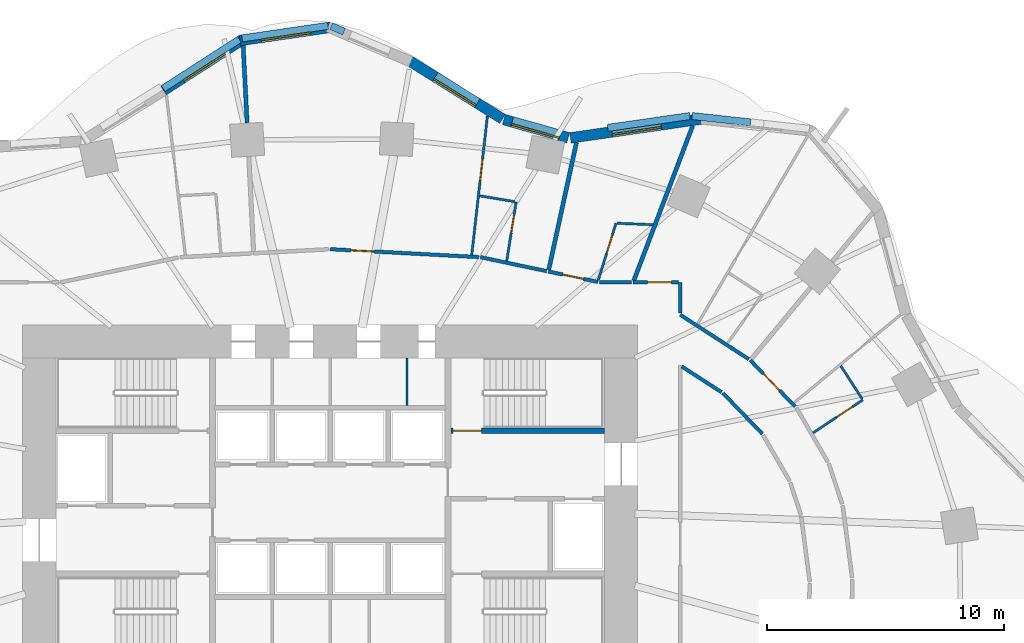
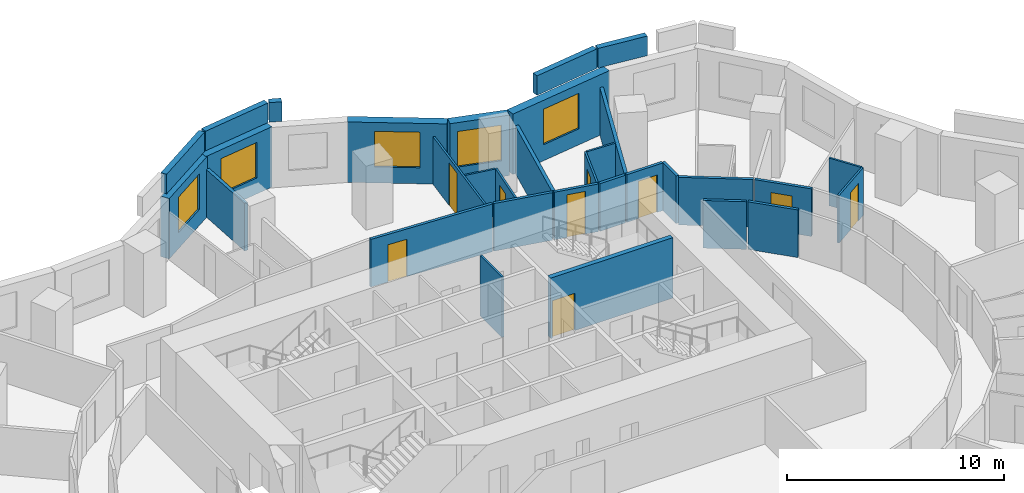
# One storey, part 9 of 11: 32 walls, 9 doors, 5 windows, 14 openings.
"""IFC4 building model written with IfcOpenShell, lengths in metres."""

from ifc_helpers import new_model, si_unit, direction, frame, frame_2d, origin, place, context, subcontext, project, spatial, rectangle, extrude, material, layer, layer_set, type_object, element, fill, save


model = new_model("IFC4")

# Units and contexts
model_context = context("Model", 3, precision=1e-05, world=origin(), true_north=direction((0.0, 1.0)))
body_context = subcontext(model_context, "Body", "Model", "MODEL_VIEW")
ifc_project = project(units=[si_unit("LENGTHUNIT", "METRE"), si_unit("AREAUNIT", "SQUARE_METRE"), si_unit("VOLUMEUNIT", "CUBIC_METRE"), si_unit("PLANEANGLEUNIT", "RADIAN"), si_unit("MASSUNIT", "GRAM", prefix="KILO")], contexts=[model_context])

# Site, building, storey
site_placement = place(None, origin())
site = spatial("IfcSite", under=ifc_project, at=site_placement, CompositionType="ELEMENT")
building_placement = place(site_placement, origin())
building = spatial("IfcBuilding", under=site, at=building_placement, Name="Rubra Terraces Tower", CompositionType="ELEMENT")
storey_placement = place(building_placement, frame((0.0, 0.0, 41.10009765625)))
storey = spatial("IfcBuildingStorey", under=building, at=storey_placement, Name="L07", CompositionType="ELEMENT", Elevation=41.10009765625)

# Walls
ifc_material_1 = material(Name="Twin plasterboard on staggered steel stud, acoustic mineral wool", Category="steel")
ifc_layer_1 = layer(ifc_material_1, 0.175048828125)
ifc_layer_set_1 = layer_set([ifc_layer_1], Name="Twin plasterboard on staggered steel stud, acoustic mineral wool")
wall_type_1 = type_object("IfcWallType", Name="ACOUSTIC PARTY WALL 175", PredefinedType="PARTITIONING", material=ifc_layer_set_1)
wall_1_placement = place(storey_placement, frame((15.32666015625, 20.418701171875, 0.0), z_axis=(0.0, 0.0, 1.0), x_axis=(-0.355499704179, -0.934676393373, 0.0)))
element("IfcWall", 1, at=wall_1_placement, inside=storey, type_object=wall_type_1, Name="PARTITION", PredefinedType="PARTITIONING", context=body_context, shape_type="SweptSolid", body=[
    extrude(rectangle(XDim=7.00634765625, YDim=0.175048828125, at=frame_2d((3.503173828125, 0.0))), origin(), (0.0, 0.0, 1.0), 2.679931640625),
])
wall_2_placement = place(storey_placement, frame((10.411376953125, 19.7099609375, 0.0), z_axis=(0.0, 0.0, 1.0), x_axis=(-0.212613726561, -0.977136327888, 0.0)))
element("IfcWall", 2, at=wall_2_placement, inside=storey, type_object=wall_type_1, Name="PARTITION", PredefinedType="PARTITIONING", context=body_context, shape_type="SweptSolid", body=[
    extrude(rectangle(XDim=5.506103515625, YDim=0.175048828125, at=frame_2d((2.7529296875, 0.0))), origin(), (0.0, 0.0, 1.0), 2.679931640625),
])
wall_3_placement = place(storey_placement, frame((-3.67822265625, 23.810302734375, 0.0), z_axis=(0.0, 0.0, 1.0), x_axis=(0.050406902628, -0.998728764063, 0.0)))
element("IfcWall", 3, at=wall_3_placement, inside=storey, type_object=wall_type_1, Name="PARTITION", PredefinedType="PARTITIONING", context=body_context, shape_type="SweptSolid", body=[
    extrude(rectangle(XDim=3.269287109375, YDim=0.175048828125, at=frame_2d((1.634765625, 0.0))), origin(), (0.0, 0.0, 1.0), 2.679931640625),
])

# Wall, opening, window
ifc_material_2 = material(Name="Brick masonry red-brown", Category="masonry")
ifc_layer_2 = layer(ifc_material_2, 0.449951171875)
ifc_layer_set_2 = layer_set([ifc_layer_2], Name="Brick masonry red-brown")
wall_type_2 = type_object("IfcWallType", Name="Brick facade wall 450", PredefinedType="SOLIDWALL", material=ifc_layer_set_2)
wall_4_placement = place(storey_placement, frame((15.752197265625, 20.71142578125, 0.0), z_axis=(0.0, 0.0, 1.0), x_axis=(-0.989761192351, -0.142733255115, 0.0)))
wall_4 = element("IfcWall", 4, at=wall_4_placement, inside=storey, type_object=wall_type_2, Name="Facade wall L07 bay 7", PredefinedType="SOLIDWALL", context=body_context, shape_type="SweptSolid", body=[
    extrude(rectangle(XDim=5.653076171875, YDim=0.449951171875, at=frame_2d((2.82666015625, 0.0))), origin(), (0.0, 0.0, 1.0), 3.39990234375),
])
opening_1_placement = place(wall_4_placement, frame((1.776611328125, 0.0, 0.89990234375)))
opening_1 = element("IfcOpeningElement", 5, at=opening_1_placement, cuts=wall_4, Name="Opening W1", PredefinedType="OPENING", context=body_context, shape_type="SweptSolid", body=[
    extrude(rectangle(XDim=2.10009765625, YDim=2.0, at=frame_2d((1.050048828125, 1.0))), frame((0.0, 0.23486328125, 0.0), z_axis=(0.0, -1.0, 0.0), x_axis=(1.0, 0.0, 0.0)), (0.0, 0.0, 1.0), 0.469970703125),
])
ifc_material_3 = material(Name="Clear glass in aluminium frame", Category="aluminium")
window_type = type_object("IfcWindowType", Name="Fixed deep-set window 2100 x 2000", PartitioningType="SINGLE_PANEL", PredefinedType="WINDOW", material=ifc_material_3)
window_1_placement = place(opening_1_placement, origin())
window_1 = element("IfcWindow", 6, at=window_1_placement, inside=storey, type_object=window_type, Name="Window L07 bay 7", OverallHeight=2.0, OverallWidth=2.10009765625, PartitioningType="SINGLE_PANEL", PredefinedType="WINDOW", context=body_context, shape_type="SweptSolid", body=[
    extrude(rectangle(XDim=2.10009765625, YDim=2.0, at=frame_2d((1.050048828125, 1.0))), frame((0.0, 0.135009765625, 0.0), z_axis=(0.0, -1.0, 0.0), x_axis=(1.0, 0.0, 0.0)), (0.0, 0.0, 1.0), 0.06005859375),
])
fill(opening_1, window_1)

wall_5_placement = place(storey_placement, frame((10.063232421875, 19.910888671875, 0.0), z_axis=(0.0, 0.0, 1.0), x_axis=(-0.961982029567, 0.273112751057, 0.0)))
wall_5 = element("IfcWall", 7, at=wall_5_placement, inside=storey, type_object=wall_type_2, Name="Facade wall L07 bay 8", PredefinedType="SOLIDWALL", context=body_context, shape_type="SweptSolid", body=[
    extrude(rectangle(XDim=2.827392578125, YDim=0.449951171875, at=frame_2d((1.41357421875, 0.0))), origin(), (0.0, 0.0, 1.0), 3.39990234375),
])
opening_2_placement = place(wall_5_placement, frame((0.36376953125, 0.0, 0.89990234375)))
opening_2 = element("IfcOpeningElement", 8, at=opening_2_placement, cuts=wall_5, Name="Opening W1", PredefinedType="OPENING", context=body_context, shape_type="SweptSolid", body=[
    extrude(rectangle(XDim=2.10009765625, YDim=2.0, at=frame_2d((1.050048828125, 1.0))), frame((0.0, 0.23486328125, 0.0), z_axis=(0.0, -1.0, 0.0), x_axis=(1.0, 0.0, 0.0)), (0.0, 0.0, 1.0), 0.469970703125),
])
window_2_placement = place(opening_2_placement, origin())
window_2 = element("IfcWindow", 9, at=window_2_placement, inside=storey, type_object=window_type, Name="Window L07 bay 8", OverallHeight=2.0, OverallWidth=2.10009765625, PartitioningType="SINGLE_PANEL", PredefinedType="WINDOW", context=body_context, shape_type="SweptSolid", body=[
    extrude(rectangle(XDim=2.10009765625, YDim=2.0, at=frame_2d((1.050048828125, 1.0))), frame((0.0, 0.135009765625, 0.0), z_axis=(0.0, -1.0, 0.0), x_axis=(1.0, 0.0, 0.0)), (0.0, 0.0, 1.0), 0.06005859375),
])
fill(opening_2, window_2)

wall_6_placement = place(storey_placement, frame((7.28564453125, 20.70849609375, 0.0), z_axis=(0.0, 0.0, 1.0), x_axis=(-0.848420894374, 0.529322194878, 0.0)))
wall_6 = element("IfcWall", 10, at=wall_6_placement, inside=storey, type_object=wall_type_2, Name="Facade wall L07 bay 9", PredefinedType="SOLIDWALL", context=body_context, shape_type="SweptSolid", body=[
    extrude(rectangle(XDim=4.60595703125, YDim=0.449951171875, at=frame_2d((2.302978515625, 0.0))), origin(), (0.0, 0.0, 1.0), 3.39990234375),
])
opening_3_placement = place(wall_6_placement, frame((1.2529296875, 0.0, 0.89990234375)))
opening_3 = element("IfcOpeningElement", 11, at=opening_3_placement, cuts=wall_6, Name="Opening W1", PredefinedType="OPENING", context=body_context, shape_type="SweptSolid", body=[
    extrude(rectangle(XDim=2.10009765625, YDim=2.0, at=frame_2d((1.050048828125, 1.0))), frame((0.0, 0.23486328125, 0.0), z_axis=(0.0, -1.0, 0.0), x_axis=(1.0, 0.0, 0.0)), (0.0, 0.0, 1.0), 0.469970703125),
])
window_3_placement = place(opening_3_placement, origin())
window_3 = element("IfcWindow", 12, at=window_3_placement, inside=storey, type_object=window_type, Name="Window L07 bay 9", OverallHeight=2.0, OverallWidth=2.10009765625, PartitioningType="SINGLE_PANEL", PredefinedType="WINDOW", context=body_context, shape_type="SweptSolid", body=[
    extrude(rectangle(XDim=2.10009765625, YDim=2.0, at=frame_2d((1.050048828125, 1.0))), frame((0.0, 0.135009765625, 0.0), z_axis=(0.0, -1.0, 0.0), x_axis=(1.0, 0.0, 0.0)), (0.0, 0.0, 1.0), 0.06005859375),
])
fill(opening_3, window_3)

wall_7_placement = place(storey_placement, frame((0.032470703125, 24.58447265625, 0.0), z_axis=(0.0, 0.0, 1.0), x_axis=(-0.989495330387, -0.144564833698, 0.0)))
wall_7 = element("IfcWall", 13, at=wall_7_placement, inside=storey, type_object=wall_type_2, Name="Facade wall L07 bay 11", PredefinedType="SOLIDWALL", context=body_context, shape_type="SweptSolid", body=[
    extrude(rectangle(XDim=3.880859375, YDim=0.449951171875, at=frame_2d((1.9404296875, 0.0))), origin(), (0.0, 0.0, 1.0), 3.39990234375),
])
opening_4_placement = place(wall_7_placement, frame((0.890380859375, 0.0, 0.89990234375)))
opening_4 = element("IfcOpeningElement", 14, at=opening_4_placement, cuts=wall_7, Name="Opening W1", PredefinedType="OPENING", context=body_context, shape_type="SweptSolid", body=[
    extrude(rectangle(XDim=2.10009765625, YDim=2.0, at=frame_2d((1.050048828125, 1.0))), frame((0.0, 0.23486328125, 0.0), z_axis=(0.0, -1.0, 0.0), x_axis=(1.0, 0.0, 0.0)), (0.0, 0.0, 1.0), 0.469970703125),
])
window_4_placement = place(opening_4_placement, origin())
window_4 = element("IfcWindow", 15, at=window_4_placement, inside=storey, type_object=window_type, Name="Window L07 bay 11", OverallHeight=2.0, OverallWidth=2.10009765625, PartitioningType="SINGLE_PANEL", PredefinedType="WINDOW", context=body_context, shape_type="SweptSolid", body=[
    extrude(rectangle(XDim=2.10009765625, YDim=2.0, at=frame_2d((1.050048828125, 1.0))), frame((0.0, 0.135009765625, 0.0), z_axis=(0.0, -1.0, 0.0), x_axis=(1.0, 0.0, 0.0)), (0.0, 0.0, 1.0), 0.06005859375),
])
fill(opening_4, window_4)

wall_8_placement = place(storey_placement, frame((-3.720703125, 24.055419921875, 0.0), z_axis=(0.0, 0.0, 1.0), x_axis=(-0.840404438766, -0.54195975801, 0.0)))
wall_8 = element("IfcWall", 16, at=wall_8_placement, inside=storey, type_object=wall_type_2, Name="Facade wall L07 bay 12", PredefinedType="SOLIDWALL", context=body_context, shape_type="SweptSolid", body=[
    extrude(rectangle(XDim=3.960205078125, YDim=0.449951171875, at=frame_2d((1.97998046875, 0.0))), origin(), (0.0, 0.0, 1.0), 3.39990234375),
])
opening_5_placement = place(wall_8_placement, frame((0.929931640625, 0.0, 0.89990234375)))
opening_5 = element("IfcOpeningElement", 17, at=opening_5_placement, cuts=wall_8, Name="Opening W1", PredefinedType="OPENING", context=body_context, shape_type="SweptSolid", body=[
    extrude(rectangle(XDim=2.10009765625, YDim=2.0, at=frame_2d((1.050048828125, 1.0))), frame((0.0, 0.23486328125, 0.0), z_axis=(0.0, -1.0, 0.0), x_axis=(1.0, 0.0, 0.0)), (0.0, 0.0, 1.0), 0.469970703125),
])
window_5_placement = place(opening_5_placement, origin())
window_5 = element("IfcWindow", 18, at=window_5_placement, inside=storey, type_object=window_type, Name="Window L07 bay 12", OverallHeight=2.0, OverallWidth=2.10009765625, PartitioningType="SINGLE_PANEL", PredefinedType="WINDOW", context=body_context, shape_type="SweptSolid", body=[
    extrude(rectangle(XDim=2.10009765625, YDim=2.0, at=frame_2d((1.050048828125, 1.0))), frame((0.0, 0.135009765625, 0.0), z_axis=(0.0, -1.0, 0.0), x_axis=(1.0, 0.0, 0.0)), (0.0, 0.0, 1.0), 0.06005859375),
])
fill(opening_5, window_5)

# Walls
ifc_layer_3 = layer(ifc_material_2, 0.300048828125)
ifc_layer_set_3 = layer_set([ifc_layer_3], Name="Brick masonry red-brown")
wall_type_3 = type_object("IfcWallType", Name="Brick parapet 300", PredefinedType="PARAPET", material=ifc_layer_set_3)
wall_9_placement = place(storey_placement, frame((17.77197265625, 20.558837890625, 3.599853515625), z_axis=(0.0, 0.0, 1.0), x_axis=(-0.994063072833, 0.108805363973, 0.0)))
element("IfcWall", 19, at=wall_9_placement, inside=storey, type_object=wall_type_3, Name="Parapet L07 bay 6.2", PredefinedType="PARAPET", context=body_context, shape_type="SweptSolid", body=[
    extrude(rectangle(XDim=2.488525390625, YDim=0.300048828125, at=frame_2d((1.244140625, 0.0))), origin(), (0.0, 0.0, 1.0), 1.10009765625),
])
wall_10_placement = place(storey_placement, frame((15.201171875, 20.827880859375, 3.599853515625), z_axis=(0.0, 0.0, 1.0), x_axis=(-0.989761856496, -0.142728649634, 0.0)))
element("IfcWall", 20, at=wall_10_placement, inside=storey, type_object=wall_type_3, Name="Parapet L07 bay 7", PredefinedType="PARAPET", context=body_context, shape_type="SweptSolid", body=[
    extrude(rectangle(XDim=3.503173828125, YDim=0.300048828125, at=frame_2d((1.75146484375, 0.0))), origin(), (0.0, 0.0, 1.0), 1.10009765625),
])
wall_11_placement = place(storey_placement, frame((0.585693359375, 24.398193359375, 3.599853515625), z_axis=(0.0, 0.0, 1.0), x_axis=(-0.921949320844, 0.387310534062, 0.0)))
element("IfcWall", 21, at=wall_11_placement, inside=storey, type_object=wall_type_3, Name="Parapet L07 bay 10", PredefinedType="PARAPET", context=body_context, shape_type="SweptSolid", body=[
    extrude(rectangle(XDim=0.5849609375, YDim=0.300048828125, at=frame_2d((0.29248046875, 0.0))), origin(), (0.0, 0.0, 1.0), 1.10009765625),
])
wall_12_placement = place(storey_placement, frame((-0.090576171875, 24.64208984375, 3.599853515625), z_axis=(0.0, 0.0, 1.0), x_axis=(-0.989499132051, -0.144538810259, 0.0)))
element("IfcWall", 22, at=wall_12_placement, inside=storey, type_object=wall_type_3, Name="Parapet L07 bay 11", PredefinedType="PARAPET", context=body_context, shape_type="SweptSolid", body=[
    extrude(rectangle(XDim=3.672119140625, YDim=0.300048828125, at=frame_2d((1.8359375, 0.0))), origin(), (0.0, 0.0, 1.0), 1.10009765625),
])
wall_13_placement = place(storey_placement, frame((-3.838623046875, 24.068359375, 3.599853515625), z_axis=(0.0, 0.0, 1.0), x_axis=(-0.84044157539, -0.541902166776, 0.0)))
element("IfcWall", 23, at=wall_13_placement, inside=storey, type_object=wall_type_3, Name="Parapet L07 bay 12", PredefinedType="PARAPET", context=body_context, shape_type="SweptSolid", body=[
    extrude(rectangle(XDim=3.836181640625, YDim=0.300048828125, at=frame_2d((1.91796875, 0.0))), origin(), (0.0, 0.0, 1.0), 1.10009765625),
])

# Wall, opening, door
ifc_material_4 = material(Name="Plasterboard on steel stud, mineral wool infill", Category="steel")
ifc_layer_4 = layer(ifc_material_4, 0.14990234375)
ifc_layer_set_4 = layer_set([ifc_layer_4], Name="Plasterboard on steel stud, mineral wool infill")
wall_type_4 = type_object("IfcWallType", Name="CORRIDOR PARTITION 150", PredefinedType="PARTITIONING", material=ifc_layer_set_4)
wall_14_placement = place(storey_placement, frame((19.662841796875, 8.5419921875, 0.0), z_axis=(0.0, 0.0, 1.0), x_axis=(-0.695220577526, 0.718796458383, 0.0)))
wall_14 = element("IfcWall", 24, at=wall_14_placement, inside=storey, type_object=wall_type_4, Name="PARTITION", PredefinedType="PARTITIONING", context=body_context, shape_type="SweptSolid", body=[
    extrude(rectangle(XDim=2.73388671875, YDim=0.14990234375, at=frame_2d((1.366943359375, 0.0))), origin(), (0.0, 0.0, 1.0), 2.679931640625),
])
opening_6_placement = place(wall_14_placement, frame((0.945068359375, 0.0, 0.0)))
opening_6 = element("IfcOpeningElement", 25, at=opening_6_placement, cuts=wall_14, Name="Opening 07-103", PredefinedType="OPENING", context=body_context, shape_type="SweptSolid", body=[
    extrude(rectangle(XDim=1.0, YDim=2.10009765625, at=frame_2d((0.5, 1.050048828125))), frame((0.0, 0.0849609375, 0.0), z_axis=(0.0, -1.0, 0.0), x_axis=(1.0, 0.0, 0.0)), (0.0, 0.0, 1.0), 0.169921875),
])
ifc_material_5 = material(Name="Painted timber door leaf", Category="wood")
door_type_1 = type_object("IfcDoorType", Name="ROOM DOOR 1000 X 2100", OperationType="SINGLE_SWING_LEFT", PredefinedType="DOOR", material=ifc_material_5)
door_1_placement = place(opening_6_placement, origin())
door_1 = element("IfcDoor", 26, at=door_1_placement, inside=storey, type_object=door_type_1, Name="DOOR 07-103", OperationType="SINGLE_SWING_RIGHT", OverallHeight=2.10009765625, OverallWidth=1.0, PredefinedType="DOOR", context=body_context, shape_type="SweptSolid", body=[
    extrude(rectangle(XDim=1.0, YDim=2.10009765625, at=frame_2d((0.5, 1.050048828125))), frame((0.0, 0.02490234375, 0.0), z_axis=(0.0, -1.0, 0.0), x_axis=(1.0, 0.0, 0.0)), (0.0, 0.0, 1.0), 0.050048828125),
])
fill(opening_6, door_1)

# Walls
wall_15_placement = place(storey_placement, frame((17.69921875, 10.548095703125, 0.0), z_axis=(0.0, 0.0, 1.0), x_axis=(-0.839188825453, 0.54384015596, 0.0)))
element("IfcWall", 27, at=wall_15_placement, inside=storey, type_object=wall_type_4, Name="PARTITION", PredefinedType="PARTITIONING", context=body_context, shape_type="SweptSolid", body=[
    extrude(rectangle(XDim=3.454345703125, YDim=0.14990234375, at=frame_2d((1.72705078125, 0.0))), origin(), (0.0, 0.0, 1.0), 2.679931640625),
])
wall_16_placement = place(storey_placement, frame((14.80029296875, 12.501708984375, 0.0), z_axis=(0.0, 0.0, 1.0), x_axis=(-0.000188040613, 0.99999998232, 0.0)))
element("IfcWall", 28, at=wall_16_placement, inside=storey, type_object=wall_type_4, Name="PARTITION", PredefinedType="PARTITIONING", context=body_context, shape_type="SweptSolid", body=[
    extrude(rectangle(XDim=1.29833984375, YDim=0.14990234375, at=frame_2d((0.649169921875, 0.0))), origin(), (0.0, 0.0, 1.0), 2.679931640625),
])

# Wall, opening, door
wall_17_placement = place(storey_placement, frame((14.72509765625, 13.800048828125, 0.0), z_axis=(0.0, 0.0, 1.0), x_axis=(-1.0, 0.0, 0.0)))
wall_17 = element("IfcWall", 29, at=wall_17_placement, inside=storey, type_object=wall_type_4, Name="PARTITION", PredefinedType="PARTITIONING", context=body_context, shape_type="SweptSolid", body=[
    extrude(rectangle(XDim=1.915771484375, YDim=0.14990234375, at=frame_2d((0.9580078125, 0.0))), origin(), (0.0, 0.0, 1.0), 2.679931640625),
])
opening_7_placement = place(wall_17_placement, frame((0.300048828125, 0.0, 0.0)))
opening_7 = element("IfcOpeningElement", 30, at=opening_7_placement, cuts=wall_17, Name="Opening 07-106", PredefinedType="OPENING", context=body_context, shape_type="SweptSolid", body=[
    extrude(rectangle(XDim=1.0, YDim=2.10009765625, at=frame_2d((0.5, 1.050048828125))), frame((0.0, 0.0849609375, 0.0), z_axis=(0.0, -1.0, 0.0), x_axis=(1.0, 0.0, 0.0)), (0.0, 0.0, 1.0), 0.169921875),
])
door_2_placement = place(opening_7_placement, origin())
door_2 = element("IfcDoor", 31, at=door_2_placement, inside=storey, type_object=door_type_1, Name="DOOR 07-106", OperationType="SINGLE_SWING_RIGHT", OverallHeight=2.10009765625, OverallWidth=1.0, PredefinedType="DOOR", context=body_context, shape_type="SweptSolid", body=[
    extrude(rectangle(XDim=1.0, YDim=2.10009765625, at=frame_2d((0.5, 1.050048828125))), frame((0.0, 0.02490234375, 0.0), z_axis=(0.0, -1.0, 0.0), x_axis=(1.0, 0.0, 0.0)), (0.0, 0.0, 1.0), 0.050048828125),
])
fill(opening_7, door_2)

# Wall
wall_18_placement = place(storey_placement, frame((12.734375, 13.800048828125, 0.0), z_axis=(0.0, 0.0, 1.0), x_axis=(-1.0, 0.0, 0.0)))
element("IfcWall", 32, at=wall_18_placement, inside=storey, type_object=wall_type_4, Name="PARTITION", PredefinedType="PARTITIONING", context=body_context, shape_type="SweptSolid", body=[
    extrude(rectangle(XDim=1.344970703125, YDim=0.14990234375, at=frame_2d((0.67236328125, 0.0))), origin(), (0.0, 0.0, 1.0), 2.679931640625),
])

# Wall, opening, door
wall_19_placement = place(storey_placement, frame((11.31591796875, 13.8154296875, 0.0), z_axis=(0.0, 0.0, 1.0), x_axis=(-0.978461212154, 0.206430754275, 0.0)))
wall_19 = element("IfcWall", 33, at=wall_19_placement, inside=storey, type_object=wall_type_4, Name="PARTITION", PredefinedType="PARTITIONING", context=body_context, shape_type="SweptSolid", body=[
    extrude(rectangle(XDim=2.13720703125, YDim=0.14990234375, at=frame_2d((1.068603515625, 0.0))), origin(), (0.0, 0.0, 1.0), 2.679931640625),
])
opening_8_placement = place(wall_19_placement, frame((0.62109375, 0.0, 0.0)))
opening_8 = element("IfcOpeningElement", 34, at=opening_8_placement, cuts=wall_19, Name="Opening 07-108", PredefinedType="OPENING", context=body_context, shape_type="SweptSolid", body=[
    extrude(rectangle(XDim=0.89990234375, YDim=2.39990234375, at=frame_2d((0.449951171875, 1.199951171875))), frame((0.0, 0.0849609375, 0.0), z_axis=(0.0, -1.0, 0.0), x_axis=(1.0, 0.0, 0.0)), (0.0, 0.0, 1.0), 0.169921875),
])
ifc_material_6 = material(Name="Veneered timber door leaf, fire-rated", Category="wood")
door_type_2 = type_object("IfcDoorType", Name="SUITE ENTRANCE DOOR 900 X 2400", OperationType="SINGLE_SWING_LEFT", PredefinedType="DOOR", material=ifc_material_6)
door_3_placement = place(opening_8_placement, origin())
door_3 = element("IfcDoor", 35, at=door_3_placement, inside=storey, type_object=door_type_2, Name="DOOR 07-108", OperationType="SINGLE_SWING_RIGHT", OverallHeight=2.39990234375, OverallWidth=0.89990234375, PredefinedType="DOOR", context=body_context, shape_type="SweptSolid", body=[
    extrude(rectangle(XDim=0.89990234375, YDim=2.39990234375, at=frame_2d((0.449951171875, 1.199951171875))), frame((0.0, 0.02490234375, 0.0), z_axis=(0.0, -1.0, 0.0), x_axis=(1.0, 0.0, 0.0)), (0.0, 0.0, 1.0), 0.050048828125),
])
fill(opening_8, door_3)

# Wall
wall_20_placement = place(storey_placement, frame((9.151611328125, 14.272216796875, 0.0), z_axis=(0.0, 0.0, 1.0), x_axis=(-0.978472647326, 0.206376545266, 0.0)))
element("IfcWall", 36, at=wall_20_placement, inside=storey, type_object=wall_type_4, Name="PARTITION", PredefinedType="PARTITIONING", context=body_context, shape_type="SweptSolid", body=[
    extrude(rectangle(XDim=2.85693359375, YDim=0.14990234375, at=frame_2d((1.428466796875, 0.0))), origin(), (0.0, 0.0, 1.0), 2.679931640625),
])

# Wall, opening, door
wall_21_placement = place(storey_placement, frame((6.281494140625, 14.86572265625, 0.0), z_axis=(0.0, 0.0, 1.0), x_axis=(-0.998587429539, 0.053133281163, 0.0)))
wall_21 = element("IfcWall", 37, at=wall_21_placement, inside=storey, type_object=wall_type_4, Name="PARTITION", PredefinedType="PARTITIONING", context=body_context, shape_type="SweptSolid", body=[
    extrude(rectangle(XDim=6.290283203125, YDim=0.14990234375, at=frame_2d((3.14501953125, 0.0))), origin(), (0.0, 0.0, 1.0), 2.679931640625),
])
opening_9_placement = place(wall_21_placement, frame((4.4169921875, 0.0, 0.0)))
opening_9 = element("IfcOpeningElement", 38, at=opening_9_placement, cuts=wall_21, Name="Opening 07-111", PredefinedType="OPENING", context=body_context, shape_type="SweptSolid", body=[
    extrude(rectangle(XDim=1.0, YDim=2.10009765625, at=frame_2d((0.5, 1.050048828125))), frame((0.0, 0.0849609375, 0.0), z_axis=(0.0, -1.0, 0.0), x_axis=(1.0, 0.0, 0.0)), (0.0, 0.0, 1.0), 0.169921875),
])
door_4_placement = place(opening_9_placement, origin())
door_4 = element("IfcDoor", 39, at=door_4_placement, inside=storey, type_object=door_type_1, Name="DOOR 07-111", OperationType="SINGLE_SWING_RIGHT", OverallHeight=2.10009765625, OverallWidth=1.0, PredefinedType="DOOR", context=body_context, shape_type="SweptSolid", body=[
    extrude(rectangle(XDim=1.0, YDim=2.10009765625, at=frame_2d((0.5, 1.050048828125))), frame((0.0, 0.02490234375, 0.0), z_axis=(0.0, -1.0, 0.0), x_axis=(1.0, 0.0, 0.0)), (0.0, 0.0, 1.0), 0.050048828125),
])
fill(opening_9, door_4)

# Walls
wall_22_placement = place(storey_placement, frame((16.603515625, 9.1162109375, 0.0), z_axis=(0.0, 0.0, 1.0), x_axis=(0.695185405932, -0.718830474716, 0.0)))
element("IfcWall", 40, at=wall_22_placement, inside=storey, type_object=wall_type_4, Name="PARTITION", PredefinedType="PARTITIONING", context=body_context, shape_type="SweptSolid", body=[
    extrude(rectangle(XDim=2.3955078125, YDim=0.14990234375, at=frame_2d((1.19775390625, 0.0))), origin(), (0.0, 0.0, 1.0), 2.679931640625),
])
wall_23_placement = place(storey_placement, frame((14.863037109375, 10.242431640625, 0.0), z_axis=(0.0, 0.0, 1.0), x_axis=(0.839530811724, -0.543312079901, 0.0)))
element("IfcWall", 41, at=wall_23_placement, inside=storey, type_object=wall_type_4, Name="PARTITION", PredefinedType="PARTITIONING", context=body_context, shape_type="SweptSolid", body=[
    extrude(rectangle(XDim=1.997802734375, YDim=0.14990234375, at=frame_2d((0.9990234375, 0.0))), origin(), (0.0, 0.0, 1.0), 2.679931640625),
])

# Wall, opening, door
ifc_material_7 = material(Name="Plasterboard on steel stud", Category="steel")
ifc_layer_5 = layer(ifc_material_7, 0.10009765625)
ifc_layer_set_5 = layer_set([ifc_layer_5], Name="Plasterboard on steel stud")
wall_type_5 = type_object("IfcWallType", Name="ROOM PARTITION 100", PredefinedType="PARTITIONING", material=ifc_layer_set_5)
wall_24_placement = place(storey_placement, frame((20.414794921875, 7.4326171875, 0.0), z_axis=(0.0, 0.0, 1.0), x_axis=(0.832615138826, 0.553851993404, 0.0)))
wall_24 = element("IfcWall", 42, at=wall_24_placement, inside=storey, type_object=wall_type_5, Name="PARTITION", PredefinedType="PARTITIONING", context=body_context, shape_type="SweptSolid", body=[
    extrude(rectangle(XDim=2.52490234375, YDim=0.10009765625, at=frame_2d((1.262451171875, 0.0))), origin(), (0.0, 0.0, 1.0), 2.679931640625),
])
opening_10_placement = place(wall_24_placement, frame((1.199951171875, 0.0, 0.0)))
opening_10 = element("IfcOpeningElement", 43, at=opening_10_placement, cuts=wall_24, Name="Opening 07-101", PredefinedType="OPENING", context=body_context, shape_type="SweptSolid", body=[
    extrude(rectangle(XDim=0.800048828125, YDim=2.10009765625, at=frame_2d((0.39990234375, 1.050048828125))), frame((0.0, 0.06005859375, 0.0), z_axis=(0.0, -1.0, 0.0), x_axis=(1.0, 0.0, 0.0)), (0.0, 0.0, 1.0), 0.1201171875),
])
door_type_3 = type_object("IfcDoorType", Name="BATHROOM DOOR 800 X 2100", OperationType="SINGLE_SWING_LEFT", PredefinedType="DOOR", material=ifc_material_5)
door_5_placement = place(opening_10_placement, origin())
door_5 = element("IfcDoor", 44, at=door_5_placement, inside=storey, type_object=door_type_3, Name="DOOR 07-101", OperationType="SINGLE_SWING_LEFT", OverallHeight=2.10009765625, OverallWidth=0.800048828125, PredefinedType="DOOR", context=body_context, shape_type="SweptSolid", body=[
    extrude(rectangle(XDim=0.800048828125, YDim=2.10009765625, at=frame_2d((0.39990234375, 1.050048828125))), frame((0.0, 0.02490234375, 0.0), z_axis=(0.0, -1.0, 0.0), x_axis=(1.0, 0.0, 0.0)), (0.0, 0.0, 1.0), 0.050048828125),
])
fill(opening_10, door_5)

# Wall
wall_25_placement = place(storey_placement, frame((22.489990234375, 8.873046875, 0.0), z_axis=(0.0, 0.0, 1.0), x_axis=(-0.543847599443, 0.839184001623, 0.0)))
element("IfcWall", 45, at=wall_25_placement, inside=storey, type_object=wall_type_5, Name="PARTITION", PredefinedType="PARTITIONING", context=body_context, shape_type="SweptSolid", body=[
    extrude(rectangle(XDim=1.663330078125, YDim=0.10009765625, at=frame_2d((0.83154296875, 0.0))), origin(), (0.0, 0.0, 1.0), 2.679931640625),
])

# Wall, opening, door
wall_26_placement = place(storey_placement, frame((11.333251953125, 13.88818359375, 0.0), z_axis=(0.0, 0.0, 1.0), x_axis=(0.297311415603, 0.954780562303, 0.0)))
wall_26 = element("IfcWall", 46, at=wall_26_placement, inside=storey, type_object=wall_type_5, Name="PARTITION", PredefinedType="PARTITIONING", context=body_context, shape_type="SweptSolid", body=[
    extrude(rectangle(XDim=2.525146484375, YDim=0.10009765625, at=frame_2d((1.2626953125, 0.0))), origin(), (0.0, 0.0, 1.0), 2.679931640625),
])
opening_11_placement = place(wall_26_placement, frame((1.199951171875, 0.0, 0.0)))
opening_11 = element("IfcOpeningElement", 47, at=opening_11_placement, cuts=wall_26, Name="Opening 07-107", PredefinedType="OPENING", context=body_context, shape_type="SweptSolid", body=[
    extrude(rectangle(XDim=0.800048828125, YDim=2.10009765625, at=frame_2d((0.39990234375, 1.050048828125))), frame((0.0, 0.06005859375, 0.0), z_axis=(0.0, -1.0, 0.0), x_axis=(1.0, 0.0, 0.0)), (0.0, 0.0, 1.0), 0.1201171875),
])
door_6_placement = place(opening_11_placement, origin())
door_6 = element("IfcDoor", 48, at=door_6_placement, inside=storey, type_object=door_type_3, Name="DOOR 07-107", OperationType="SINGLE_SWING_LEFT", OverallHeight=2.10009765625, OverallWidth=0.800048828125, PredefinedType="DOOR", context=body_context, shape_type="SweptSolid", body=[
    extrude(rectangle(XDim=0.800048828125, YDim=2.10009765625, at=frame_2d((0.39990234375, 1.050048828125))), frame((0.0, 0.02490234375, 0.0), z_axis=(0.0, -1.0, 0.0), x_axis=(1.0, 0.0, 0.0)), (0.0, 0.0, 1.0), 0.050048828125),
])
fill(opening_11, door_6)

# Wall
wall_27_placement = place(storey_placement, frame((12.1337890625, 16.296875, 0.0), z_axis=(0.0, 0.0, 1.0), x_axis=(0.999134735698, -0.041590623004, 0.0)))
element("IfcWall", 49, at=wall_27_placement, inside=storey, type_object=wall_type_5, Name="PARTITION", PredefinedType="PARTITIONING", context=body_context, shape_type="SweptSolid", body=[
    extrude(rectangle(XDim=1.526123046875, YDim=0.10009765625, at=frame_2d((0.76318359375, 0.0))), origin(), (0.0, 0.0, 1.0), 2.679931640625),
])

# Wall, opening, door
wall_28_placement = place(storey_placement, frame((6.648193359375, 20.83642578125, 0.0), z_axis=(0.0, 0.0, 1.0), x_axis=(-0.112061643164, -0.993701256984, 0.0)))
wall_28 = element("IfcWall", 50, at=wall_28_placement, inside=storey, type_object=wall_type_5, Name="PARTITION", PredefinedType="PARTITIONING", context=body_context, shape_type="SweptSolid", body=[
    extrude(rectangle(XDim=5.917236328125, YDim=0.10009765625, at=frame_2d((2.95849609375, 0.0))), origin(), (0.0, 0.0, 1.0), 2.679931640625),
])
opening_12_placement = place(wall_28_placement, frame((1.842041015625, 0.0, 0.0)))
opening_12 = element("IfcOpeningElement", 51, at=opening_12_placement, cuts=wall_28, Name="Opening 07-110", PredefinedType="OPENING", context=body_context, shape_type="SweptSolid", body=[
    extrude(rectangle(XDim=0.89990234375, YDim=2.39990234375, at=frame_2d((0.449951171875, 1.199951171875))), frame((0.0, 0.06005859375, 0.0), z_axis=(0.0, -1.0, 0.0), x_axis=(1.0, 0.0, 0.0)), (0.0, 0.0, 1.0), 0.1201171875),
])
door_7_placement = place(opening_12_placement, origin())
door_7 = element("IfcDoor", 52, at=door_7_placement, inside=storey, type_object=door_type_2, Name="DOOR 07-110", OperationType="SINGLE_SWING_LEFT", OverallHeight=2.39990234375, OverallWidth=0.89990234375, PredefinedType="DOOR", context=body_context, shape_type="SweptSolid", body=[
    extrude(rectangle(XDim=0.89990234375, YDim=2.39990234375, at=frame_2d((0.449951171875, 1.199951171875))), frame((0.0, 0.02490234375, 0.0), z_axis=(0.0, -1.0, 0.0), x_axis=(1.0, 0.0, 0.0)), (0.0, 0.0, 1.0), 0.050048828125),
])
fill(opening_12, door_7)

wall_29_placement = place(storey_placement, frame((7.4638671875, 14.70458984375, 0.0), z_axis=(0.0, 0.0, 1.0), x_axis=(0.157794407392, 0.987471986942, 0.0)))
wall_29 = element("IfcWall", 53, at=wall_29_placement, inside=storey, type_object=wall_type_5, Name="PARTITION", PredefinedType="PARTITIONING", context=body_context, shape_type="SweptSolid", body=[
    extrude(rectangle(XDim=2.525146484375, YDim=0.10009765625, at=frame_2d((1.2626953125, 0.0))), origin(), (0.0, 0.0, 1.0), 2.679931640625),
])
opening_13_placement = place(wall_29_placement, frame((1.199951171875, 0.0, 0.0)))
opening_13 = element("IfcOpeningElement", 54, at=opening_13_placement, cuts=wall_29, Name="Opening 07-109", PredefinedType="OPENING", context=body_context, shape_type="SweptSolid", body=[
    extrude(rectangle(XDim=0.800048828125, YDim=2.10009765625, at=frame_2d((0.39990234375, 1.050048828125))), frame((0.0, 0.06005859375, 0.0), z_axis=(0.0, -1.0, 0.0), x_axis=(1.0, 0.0, 0.0)), (0.0, 0.0, 1.0), 0.1201171875),
])
door_8_placement = place(opening_13_placement, origin())
door_8 = element("IfcDoor", 55, at=door_8_placement, inside=storey, type_object=door_type_3, Name="DOOR 07-109", OperationType="SINGLE_SWING_LEFT", OverallHeight=2.10009765625, OverallWidth=0.800048828125, PredefinedType="DOOR", context=body_context, shape_type="SweptSolid", body=[
    extrude(rectangle(XDim=0.800048828125, YDim=2.10009765625, at=frame_2d((0.39990234375, 1.050048828125))), frame((0.0, 0.02490234375, 0.0), z_axis=(0.0, -1.0, 0.0), x_axis=(1.0, 0.0, 0.0)), (0.0, 0.0, 1.0), 0.050048828125),
])
fill(opening_13, door_8)

# Walls
wall_30_placement = place(storey_placement, frame((7.81298828125, 17.206298828125, 0.0), z_axis=(0.0, 0.0, 1.0), x_axis=(-0.986210571652, 0.165495342419, 0.0)))
element("IfcWall", 56, at=wall_30_placement, inside=storey, type_object=wall_type_5, Name="PARTITION", PredefinedType="PARTITIONING", context=body_context, shape_type="SweptSolid", body=[
    extrude(rectangle(XDim=1.5166015625, YDim=0.10009765625, at=frame_2d((0.75830078125, 0.0))), origin(), (0.0, 0.0, 1.0), 2.679931640625),
])
ifc_material_8 = material(Name="Blockwork", Category="masonry")
ifc_layer_6 = layer(ifc_material_8, 0.10009765625)
ifc_layer_set_6 = layer_set([ifc_layer_6], Name="Blockwork")
wall_type_6 = type_object("IfcWallType", Name="Service partition 100 blockwork", PredefinedType="PARTITIONING", material=ifc_layer_set_6)
wall_31_placement = place(storey_placement, frame((3.25, 8.60009765625, 0.0), z_axis=(0.0, 0.0, 1.0), x_axis=(0.0, 1.0, 0.0)))
element("IfcWall", 57, at=wall_31_placement, inside=storey, type_object=wall_type_6, Name="SERVICE ROOM PARTITION L07", PredefinedType="PARTITIONING", context=body_context, shape_type="SweptSolid", body=[
    extrude(rectangle(XDim=2.0, YDim=0.10009765625, at=frame_2d((1.0, 0.0))), origin(), (0.0, 0.0, 1.0), 3.39990234375),
])

# Wall, opening, door
ifc_material_9 = material(Name="Concrete C40", Category="concrete")
ifc_layer_7 = layer(ifc_material_9, 0.25)
ifc_layer_set_7 = layer_set([ifc_layer_7], Name="Concrete C40")
wall_type_7 = type_object("IfcWallType", Name="Stair enclosure wall 250 concrete", PredefinedType="SOLIDWALL", material=ifc_layer_set_7)
wall_32_placement = place(storey_placement, frame((11.60009765625, 7.52490234375, 0.0), z_axis=(0.0, 0.0, 1.0), x_axis=(-1.0, 0.0, 0.0)))
wall_32 = element("IfcWall", 58, at=wall_32_placement, inside=storey, type_object=wall_type_7, Name="STAIR WALL L07", PredefinedType="SOLIDWALL", context=body_context, shape_type="SweptSolid", body=[
    extrude(rectangle(XDim=6.5, YDim=0.25, at=frame_2d((3.25, 0.0))), origin(), (0.0, 0.0, 1.0), 3.39990234375),
])
opening_14_placement = place(wall_32_placement, frame((5.199951171875, 0.0, 0.0)))
opening_14 = element("IfcOpeningElement", 59, at=opening_14_placement, cuts=wall_32, Name="Opening L07.C08", PredefinedType="OPENING", context=body_context, shape_type="SweptSolid", body=[
    extrude(rectangle(XDim=1.199951171875, YDim=2.10009765625, at=frame_2d((0.60009765625, 1.050048828125))), frame((0.0, 0.135009765625, 0.0), z_axis=(0.0, -1.0, 0.0), x_axis=(1.0, 0.0, 0.0)), (0.0, 0.0, 1.0), 0.27001953125),
])
ifc_material_10 = material(Name="Painted steel", Category="steel")
door_type_4 = type_object("IfcDoorType", Name="Fire door 1200x2100 single", OperationType="NOTDEFINED", PredefinedType="DOOR", material=ifc_material_10)
door_9_placement = place(opening_14_placement, origin())
door_9 = element("IfcDoor", 60, at=door_9_placement, inside=storey, type_object=door_type_4, Name="Stair door S3", OperationType="SINGLE_SWING_RIGHT", OverallHeight=2.10009765625, OverallWidth=1.199951171875, PredefinedType="DOOR", context=body_context, shape_type="SweptSolid", body=[
    extrude(rectangle(XDim=1.199951171875, YDim=2.10009765625, at=frame_2d((0.60009765625, 1.050048828125))), frame((0.0, 0.02490234375, 0.0), z_axis=(0.0, -1.0, 0.0), x_axis=(1.0, 0.0, 0.0)), (0.0, 0.0, 1.0), 0.050048828125),
])
fill(opening_14, door_9)

save(model, "model.ifc")
